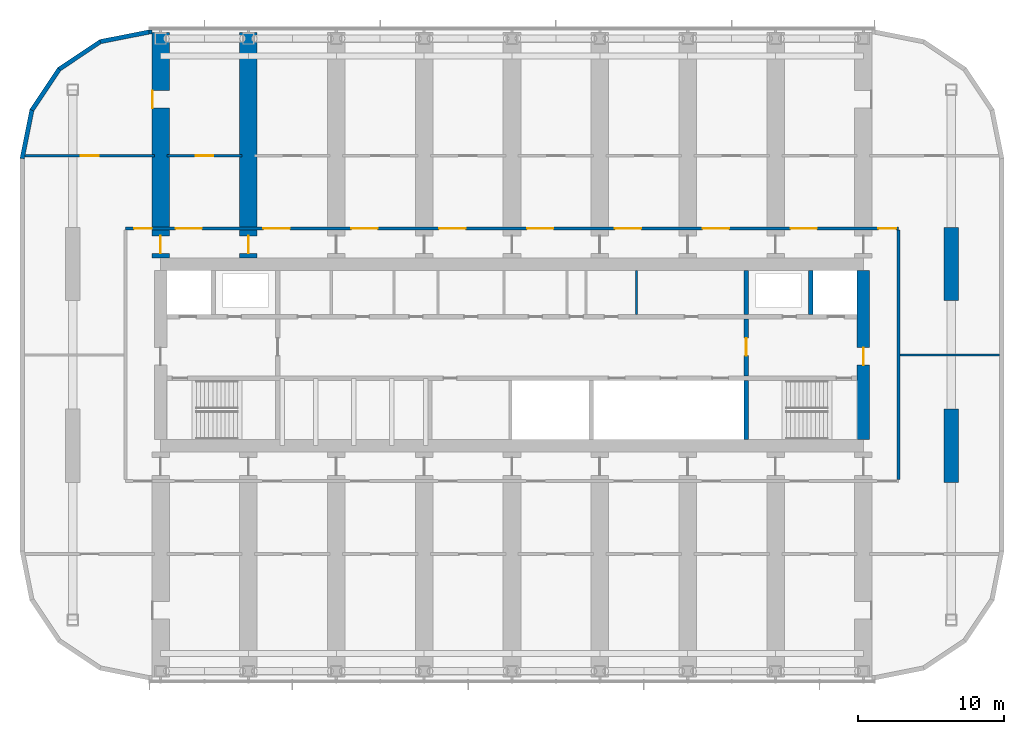
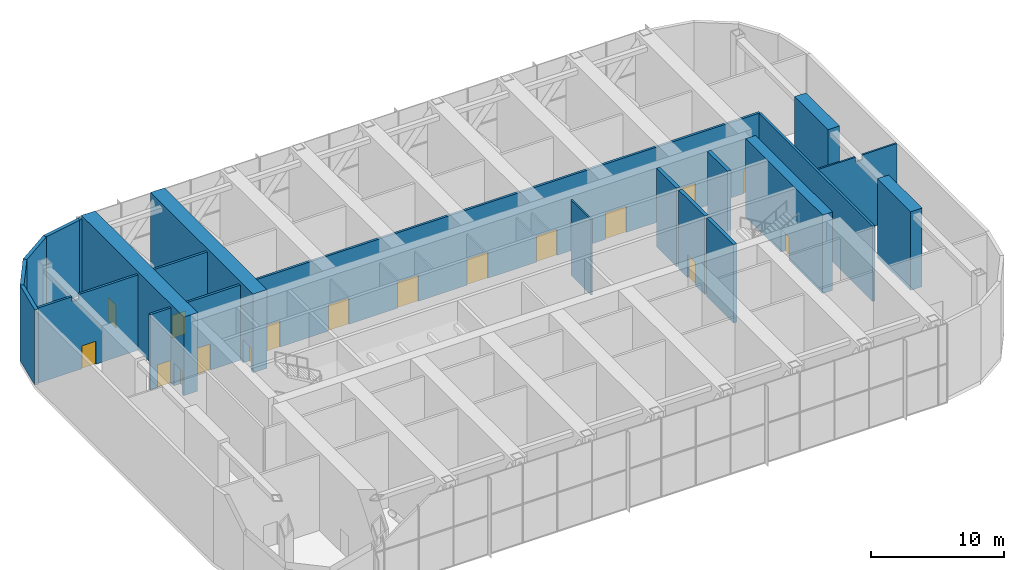
# One storey, part 11 of 22: 20 walls, 17 doors, 17 openings.
"""IFC4 building model written with IfcOpenShell, lengths in metres."""

from ifc_helpers import new_model, si_unit, direction, frame, frame_2d, origin, place, context, subcontext, project, spatial, polyline, rectangle, outline, extrude, clip, halfspace, material, layer, layer_set, type_object, element, fill, save


model = new_model("IFC4")

# Units and contexts
model_context = context("Model", 3, precision=1e-05, world=origin(), true_north=direction((0.0, 1.0)))
body_context = subcontext(model_context, "Body", "Model", "MODEL_VIEW")
ifc_project = project(units=[si_unit("LENGTHUNIT", "METRE"), si_unit("AREAUNIT", "SQUARE_METRE"), si_unit("VOLUMEUNIT", "CUBIC_METRE"), si_unit("PLANEANGLEUNIT", "RADIAN"), si_unit("MASSUNIT", "GRAM", prefix="KILO")], contexts=[model_context])

# Site, building, storey
site_placement = place(None, origin())
site = spatial("IfcSite", under=ifc_project, at=site_placement, CompositionType="ELEMENT")
building_placement = place(site_placement, origin())
building = spatial("IfcBuilding", under=site, at=building_placement, Name="Orbita Commons", CompositionType="ELEMENT")
storey_placement = place(building_placement, frame((0.0, 0.0, 201.10009765625)))
storey = spatial("IfcBuildingStorey", under=building, at=storey_placement, Name="L50", CompositionType="ELEMENT", Elevation=201.10009765625)

# Wall
ifc_material_1 = material(Name="Concrete C50/60", Category="concrete")
ifc_layer_1 = layer(ifc_material_1, 0.300048828125)
ifc_layer_set_1 = layer_set([ifc_layer_1], Name="Concrete C50/60")
wall_type_1 = type_object("IfcWallType", Name="Core inner wall 300 C50/60", PredefinedType="SHEAR", material=ifc_layer_set_1)
wall_1_placement = place(storey_placement, frame((58.0, 26.22509765625, 0.0), z_axis=(0.0, 0.0, 1.0), x_axis=(0.0, 1.0, 0.0)))
element("IfcWall", 1, at=wall_1_placement, inside=storey, type_object=wall_type_1, Name="Stair S2 wall L50", PredefinedType="SHEAR", context=body_context, shape_type="SweptSolid", body=[
    extrude(rectangle(XDim=4.02490234375, YDim=0.300048828125, at=frame_2d((2.012451171875, 0.0))), origin(), (0.0, 0.0, 1.0), 7.199951171875),
])

# Wall, opening, door
wall_2_placement = place(storey_placement, frame((58.0, 30.550048828125, 0.0), z_axis=(0.0, 0.0, 1.0), x_axis=(0.0, 1.0, 0.0)))
wall_2 = element("IfcWall", 2, at=wall_2_placement, inside=storey, type_object=wall_type_1, Name="Firefighting lobby wall east L50", PredefinedType="SHEAR", context=body_context, shape_type="SweptSolid", body=[
    extrude(rectangle(XDim=3.89990234375, YDim=0.300048828125, at=frame_2d((1.949951171875, 0.0))), origin(), (0.0, 0.0, 1.0), 7.199951171875),
])
opening_1_placement = place(wall_2_placement, frame((1.39990234375, 0.0, 0.0)))
opening_1 = element("IfcOpeningElement", 3, at=opening_1_placement, cuts=wall_2, Name="Opening D04", PredefinedType="OPENING", context=body_context, shape_type="SweptSolid", body=[
    extrude(rectangle(XDim=1.199951171875, YDim=2.10009765625, at=frame_2d((0.60009765625, 1.050048828125))), frame((0.0, 0.159912109375, 0.0), z_axis=(0.0, -1.0, 0.0), x_axis=(1.0, 0.0, 0.0)), (0.0, 0.0, 1.0), 0.320068359375),
])
ifc_material_2 = material(Name="Steel-faced fire door leaf", Category="steel")
door_type_1 = type_object("IfcDoorType", Name="Service door 20 min 1200x2100", OperationType="SINGLE_SWING_LEFT", PredefinedType="DOOR", material=ifc_material_2)
door_1_placement = place(opening_1_placement, origin())
door_1 = element("IfcDoor", 4, at=door_1_placement, inside=storey, type_object=door_type_1, Name="Lift lobby door east", OperationType="SINGLE_SWING_LEFT", OverallHeight=2.10009765625, OverallWidth=1.199951171875, PredefinedType="DOOR", context=body_context, shape_type="SweptSolid", body=[
    extrude(rectangle(XDim=1.199951171875, YDim=2.10009765625, at=frame_2d((0.60009765625, 1.050048828125))), frame((0.0, 0.02490234375, 0.0), z_axis=(0.0, -1.0, 0.0), x_axis=(1.0, 0.0, 0.0)), (0.0, 0.0, 1.0), 0.050048828125),
])
fill(opening_1, door_1)

# Walls
for number, where, z_axis, x_axis, name in (
    (5, (62.39990234375, 34.75, 0.0), (0.0, 0.0, 1.0), (0.0, 1.0, 0.0), "Firefighting lift FL2 shaft wall L50"),
    (6, (58.0, 34.75, 0.0), (0.0, 0.0, 1.0), (0.0, 1.0, 0.0), "Riser wall east L50"),
):
    element("IfcWall", number, at=place(storey_placement, frame(where, z_axis=z_axis, x_axis=x_axis)), inside=storey, type_object=wall_type_1, Name=name, PredefinedType="SHEAR", context=body_context, shape_type="SweptSolid", body=[
        extrude(rectangle(XDim=3.02490234375, YDim=0.300048828125, at=frame_2d((1.512451171875, 0.0))), origin(), (0.0, 0.0, 1.0), 7.199951171875),
    ])
ifc_material_3 = material(Name="Concrete blockwork", Category="masonry")
ifc_layer_2 = layer(ifc_material_3, 0.14990234375)
ifc_layer_set_2 = layer_set([ifc_layer_2], Name="Concrete blockwork")
wall_type_2 = type_object("IfcWallType", Name="Core partition 150 blockwork", PredefinedType="SOLIDWALL", material=ifc_layer_set_2)
wall_3_placement = place(storey_placement, frame((50.5029296875, 34.75, 0.0), z_axis=(0.0, 0.0, 1.0), x_axis=(0.0, 1.0, 0.0)))
element("IfcWall", 7, at=wall_3_placement, inside=storey, type_object=wall_type_2, Name="Core partition 150 blockwork L50", PredefinedType="SOLIDWALL", context=body_context, shape_type="SweptSolid", body=[
    extrude(rectangle(XDim=3.02490234375, YDim=0.14990234375, at=frame_2d((1.512451171875, 0.0))), origin(), (0.0, 0.0, 1.0), 6.89990234375),
])

# Wall, opening, door
ifc_material_4 = material(Name="Concrete C50/60", Category="concrete")
ifc_layer_3 = layer(ifc_material_4, 0.85009765625)
ifc_layer_set_3 = layer_set([ifc_layer_3], Name="Concrete C50/60")
wall_type_3 = type_object("IfcWallType", Name="Core wall 850 C50/60", PredefinedType="SHEAR", material=ifc_layer_set_3)
wall_4_placement = place(storey_placement, frame((66.0, 26.22509765625, 0.0), z_axis=(0.0, 0.0, 1.0), x_axis=(0.0, 1.0, 0.0)))
wall_4 = element("IfcWall", 8, at=wall_4_placement, inside=storey, type_object=wall_type_3, Name="Core end wall east L50", PredefinedType="SHEAR", context=body_context, shape_type="SweptSolid", body=[
    extrude(rectangle(XDim=11.5498046875, YDim=0.85009765625, at=frame_2d((5.77490234375, 0.0))), origin(), (0.0, 0.0, 1.0), 7.199951171875),
])
opening_2_placement = place(wall_4_placement, frame((5.074951171875, 0.0, 0.0)))
opening_2 = element("IfcOpeningElement", 9, at=opening_2_placement, cuts=wall_4, Name="Opening D01", PredefinedType="OPENING", context=body_context, shape_type="SweptSolid", body=[
    extrude(rectangle(XDim=1.199951171875, YDim=2.10009765625, at=frame_2d((0.60009765625, 1.050048828125))), frame((0.0, 0.43505859375, 0.0), z_axis=(0.0, -1.0, 0.0), x_axis=(1.0, 0.0, 0.0)), (0.0, 0.0, 1.0), 0.8701171875),
])
ifc_material_5 = material(Name="Steel-faced fire door leaf", Category="steel")
door_type_2 = type_object("IfcDoorType", Name="Fire door 90 min 1200x2100", OperationType="SINGLE_SWING_LEFT", PredefinedType="DOOR", material=ifc_material_5)
door_2_placement = place(opening_2_placement, origin())
door_2 = element("IfcDoor", 10, at=door_2_placement, inside=storey, type_object=door_type_2, Name="Firefighting lobby east door", OperationType="SINGLE_SWING_LEFT", OverallHeight=2.10009765625, OverallWidth=1.199951171875, PredefinedType="DOOR", context=body_context, shape_type="SweptSolid", body=[
    extrude(rectangle(XDim=1.199951171875, YDim=2.10009765625, at=frame_2d((0.60009765625, 1.050048828125))), frame((0.0, 0.02490234375, 0.0), z_axis=(0.0, -1.0, 0.0), x_axis=(1.0, 0.0, 0.0)), (0.0, 0.0, 1.0), 0.050048828125),
])
fill(opening_2, door_2)

# Wall, openings, doors
ifc_material_6 = material(Name="Concrete blockwork", Category="masonry")
ifc_layer_4 = layer(ifc_material_6, 0.199951171875)
ifc_layer_set_4 = layer_set([ifc_layer_4], Name="Concrete blockwork")
wall_type_4 = type_object("IfcWallType", Name="Corridor wall 200 blockwork", PredefinedType="SOLIDWALL", material=ifc_layer_set_4)
wall_5_placement = place(storey_placement, frame((15.60009765625, 40.625, 0.0), z_axis=(0.0, 0.0, 1.0), x_axis=(1.0, 0.0, 0.0)))
wall_5 = element("IfcWall", 11, at=wall_5_placement, inside=storey, type_object=wall_type_4, Name="Corridor wall 200 blockwork L50", PredefinedType="SOLIDWALL", context=body_context, shape_type="SweptSolid", body=[
    extrude(rectangle(XDim=52.7998046875, YDim=0.199951171875, at=frame_2d((26.39990234375, 0.0))), origin(), (0.0, 0.0, 1.0), 6.89990234375),
])
opening_3_placement = place(wall_5_placement, frame((0.60009765625, 0.0, 0.0)))
opening_3 = element("IfcOpeningElement", 12, at=opening_3_placement, cuts=wall_5, Name="Opening D01", PredefinedType="OPENING", context=body_context, shape_type="SweptSolid", body=[
    extrude(rectangle(XDim=1.199951171875, YDim=2.10009765625, at=frame_2d((0.60009765625, 1.050048828125))), frame((0.0, 0.10986328125, 0.0), z_axis=(0.0, -1.0, 0.0), x_axis=(1.0, 0.0, 0.0)), (0.0, 0.0, 1.0), 0.219970703125),
])
opening_4_placement = place(wall_5_placement, frame((3.425048828125, 0.0, 0.0)))
opening_4 = element("IfcOpeningElement", 13, at=opening_4_placement, cuts=wall_5, Name="Opening D14", PredefinedType="OPENING", context=body_context, shape_type="SweptSolid", body=[
    extrude(rectangle(XDim=1.800048828125, YDim=2.39990234375, at=frame_2d((0.89990234375, 1.199951171875))), frame((0.0, 0.10986328125, 0.0), z_axis=(0.0, -1.0, 0.0), x_axis=(1.0, 0.0, 0.0)), (0.0, 0.0, 1.0), 0.219970703125),
])
opening_5_placement = place(wall_5_placement, frame((9.425048828125, 0.0, 0.0)))
opening_5 = element("IfcOpeningElement", 14, at=opening_5_placement, cuts=wall_5, Name="Opening D14", PredefinedType="OPENING", context=body_context, shape_type="SweptSolid", body=[
    extrude(rectangle(XDim=1.800048828125, YDim=2.39990234375, at=frame_2d((0.89990234375, 1.199951171875))), frame((0.0, 0.10986328125, 0.0), z_axis=(0.0, -1.0, 0.0), x_axis=(1.0, 0.0, 0.0)), (0.0, 0.0, 1.0), 0.219970703125),
])
opening_6_placement = place(wall_5_placement, frame((15.425048828125, 0.0, 0.0)))
opening_6 = element("IfcOpeningElement", 15, at=opening_6_placement, cuts=wall_5, Name="Opening D14", PredefinedType="OPENING", context=body_context, shape_type="SweptSolid", body=[
    extrude(rectangle(XDim=1.800048828125, YDim=2.39990234375, at=frame_2d((0.89990234375, 1.199951171875))), frame((0.0, 0.10986328125, 0.0), z_axis=(0.0, -1.0, 0.0), x_axis=(1.0, 0.0, 0.0)), (0.0, 0.0, 1.0), 0.219970703125),
])
opening_7_placement = place(wall_5_placement, frame((21.425048828125, 0.0, 0.0)))
opening_7 = element("IfcOpeningElement", 16, at=opening_7_placement, cuts=wall_5, Name="Opening D14", PredefinedType="OPENING", context=body_context, shape_type="SweptSolid", body=[
    extrude(rectangle(XDim=1.800048828125, YDim=2.39990234375, at=frame_2d((0.89990234375, 1.199951171875))), frame((0.0, 0.10986328125, 0.0), z_axis=(0.0, -1.0, 0.0), x_axis=(1.0, 0.0, 0.0)), (0.0, 0.0, 1.0), 0.219970703125),
])
opening_8_placement = place(wall_5_placement, frame((27.425048828125, 0.0, 0.0)))
opening_8 = element("IfcOpeningElement", 17, at=opening_8_placement, cuts=wall_5, Name="Opening D14", PredefinedType="OPENING", context=body_context, shape_type="SweptSolid", body=[
    extrude(rectangle(XDim=1.800048828125, YDim=2.39990234375, at=frame_2d((0.89990234375, 1.199951171875))), frame((0.0, 0.10986328125, 0.0), z_axis=(0.0, -1.0, 0.0), x_axis=(1.0, 0.0, 0.0)), (0.0, 0.0, 1.0), 0.219970703125),
])
opening_9_placement = place(wall_5_placement, frame((33.425048828125, 0.0, 0.0)))
opening_9 = element("IfcOpeningElement", 18, at=opening_9_placement, cuts=wall_5, Name="Opening D14", PredefinedType="OPENING", context=body_context, shape_type="SweptSolid", body=[
    extrude(rectangle(XDim=1.800048828125, YDim=2.39990234375, at=frame_2d((0.89990234375, 1.199951171875))), frame((0.0, 0.10986328125, 0.0), z_axis=(0.0, -1.0, 0.0), x_axis=(1.0, 0.0, 0.0)), (0.0, 0.0, 1.0), 0.219970703125),
])
opening_10_placement = place(wall_5_placement, frame((39.425048828125, 0.0, 0.0)))
opening_10 = element("IfcOpeningElement", 19, at=opening_10_placement, cuts=wall_5, Name="Opening D14", PredefinedType="OPENING", context=body_context, shape_type="SweptSolid", body=[
    extrude(rectangle(XDim=1.800048828125, YDim=2.39990234375, at=frame_2d((0.89990234375, 1.199951171875))), frame((0.0, 0.10986328125, 0.0), z_axis=(0.0, -1.0, 0.0), x_axis=(1.0, 0.0, 0.0)), (0.0, 0.0, 1.0), 0.219970703125),
])
opening_11_placement = place(wall_5_placement, frame((45.425048828125, 0.0, 0.0)))
opening_11 = element("IfcOpeningElement", 20, at=opening_11_placement, cuts=wall_5, Name="Opening D14", PredefinedType="OPENING", context=body_context, shape_type="SweptSolid", body=[
    extrude(rectangle(XDim=1.800048828125, YDim=2.39990234375, at=frame_2d((0.89990234375, 1.199951171875))), frame((0.0, 0.10986328125, 0.0), z_axis=(0.0, -1.0, 0.0), x_axis=(1.0, 0.0, 0.0)), (0.0, 0.0, 1.0), 0.219970703125),
])
opening_12_placement = place(wall_5_placement, frame((51.425048828125, 0.0, 0.0)))
opening_12 = element("IfcOpeningElement", 21, at=opening_12_placement, cuts=wall_5, Name="Opening D01", PredefinedType="OPENING", context=body_context, shape_type="SweptSolid", body=[
    extrude(rectangle(XDim=1.199951171875, YDim=2.10009765625, at=frame_2d((0.60009765625, 1.050048828125))), frame((0.0, 0.10986328125, 0.0), z_axis=(0.0, -1.0, 0.0), x_axis=(1.0, 0.0, 0.0)), (0.0, 0.0, 1.0), 0.219970703125),
])
ifc_material_7 = material(Name="Steel-faced fire door leaf", Category="steel")
door_type_3 = type_object("IfcDoorType", Name="Double fire door 90 min 1800x2400", OperationType="DOUBLE_DOOR_SINGLE_SWING", PredefinedType="DOOR", material=ifc_material_7)
door_3_placement = place(opening_4_placement, origin())
door_3 = element("IfcDoor", 22, at=door_3_placement, inside=storey, type_object=door_type_3, Name="Water tank room L50-PN1 door", OperationType="DOUBLE_DOOR_SINGLE_SWING", OverallHeight=2.39990234375, OverallWidth=1.800048828125, PredefinedType="DOOR", context=body_context, shape_type="SweptSolid", body=[
    extrude(rectangle(XDim=1.800048828125, YDim=2.39990234375, at=frame_2d((0.89990234375, 1.199951171875))), frame((0.0, 0.02490234375, 0.0), z_axis=(0.0, -1.0, 0.0), x_axis=(1.0, 0.0, 0.0)), (0.0, 0.0, 1.0), 0.050048828125),
])
fill(opening_4, door_3)
door_4_placement = place(opening_5_placement, origin())
door_4 = element("IfcDoor", 23, at=door_4_placement, inside=storey, type_object=door_type_3, Name="Mechanical plant room L50-PN2 door", OperationType="DOUBLE_DOOR_SINGLE_SWING", OverallHeight=2.39990234375, OverallWidth=1.800048828125, PredefinedType="DOOR", context=body_context, shape_type="SweptSolid", body=[
    extrude(rectangle(XDim=1.800048828125, YDim=2.39990234375, at=frame_2d((0.89990234375, 1.199951171875))), frame((0.0, 0.02490234375, 0.0), z_axis=(0.0, -1.0, 0.0), x_axis=(1.0, 0.0, 0.0)), (0.0, 0.0, 1.0), 0.050048828125),
])
fill(opening_5, door_4)
door_5_placement = place(opening_6_placement, origin())
door_5 = element("IfcDoor", 24, at=door_5_placement, inside=storey, type_object=door_type_3, Name="Mechanical plant room L50-PN3 door", OperationType="DOUBLE_DOOR_SINGLE_SWING", OverallHeight=2.39990234375, OverallWidth=1.800048828125, PredefinedType="DOOR", context=body_context, shape_type="SweptSolid", body=[
    extrude(rectangle(XDim=1.800048828125, YDim=2.39990234375, at=frame_2d((0.89990234375, 1.199951171875))), frame((0.0, 0.02490234375, 0.0), z_axis=(0.0, -1.0, 0.0), x_axis=(1.0, 0.0, 0.0)), (0.0, 0.0, 1.0), 0.050048828125),
])
fill(opening_6, door_5)
door_6_placement = place(opening_7_placement, origin())
door_6 = element("IfcDoor", 25, at=door_6_placement, inside=storey, type_object=door_type_3, Name="Water tank room L50-PN4 door", OperationType="DOUBLE_DOOR_SINGLE_SWING", OverallHeight=2.39990234375, OverallWidth=1.800048828125, PredefinedType="DOOR", context=body_context, shape_type="SweptSolid", body=[
    extrude(rectangle(XDim=1.800048828125, YDim=2.39990234375, at=frame_2d((0.89990234375, 1.199951171875))), frame((0.0, 0.02490234375, 0.0), z_axis=(0.0, -1.0, 0.0), x_axis=(1.0, 0.0, 0.0)), (0.0, 0.0, 1.0), 0.050048828125),
])
fill(opening_7, door_6)
door_7_placement = place(opening_8_placement, origin())
door_7 = element("IfcDoor", 26, at=door_7_placement, inside=storey, type_object=door_type_3, Name="Mechanical plant room L50-PN5 door", OperationType="DOUBLE_DOOR_SINGLE_SWING", OverallHeight=2.39990234375, OverallWidth=1.800048828125, PredefinedType="DOOR", context=body_context, shape_type="SweptSolid", body=[
    extrude(rectangle(XDim=1.800048828125, YDim=2.39990234375, at=frame_2d((0.89990234375, 1.199951171875))), frame((0.0, 0.02490234375, 0.0), z_axis=(0.0, -1.0, 0.0), x_axis=(1.0, 0.0, 0.0)), (0.0, 0.0, 1.0), 0.050048828125),
])
fill(opening_8, door_7)
door_8_placement = place(opening_9_placement, origin())
door_8 = element("IfcDoor", 27, at=door_8_placement, inside=storey, type_object=door_type_3, Name="Mechanical plant room L50-PN6 door", OperationType="DOUBLE_DOOR_SINGLE_SWING", OverallHeight=2.39990234375, OverallWidth=1.800048828125, PredefinedType="DOOR", context=body_context, shape_type="SweptSolid", body=[
    extrude(rectangle(XDim=1.800048828125, YDim=2.39990234375, at=frame_2d((0.89990234375, 1.199951171875))), frame((0.0, 0.02490234375, 0.0), z_axis=(0.0, -1.0, 0.0), x_axis=(1.0, 0.0, 0.0)), (0.0, 0.0, 1.0), 0.050048828125),
])
fill(opening_9, door_8)
door_9_placement = place(opening_10_placement, origin())
door_9 = element("IfcDoor", 28, at=door_9_placement, inside=storey, type_object=door_type_3, Name="Water tank room L50-PN7 door", OperationType="DOUBLE_DOOR_SINGLE_SWING", OverallHeight=2.39990234375, OverallWidth=1.800048828125, PredefinedType="DOOR", context=body_context, shape_type="SweptSolid", body=[
    extrude(rectangle(XDim=1.800048828125, YDim=2.39990234375, at=frame_2d((0.89990234375, 1.199951171875))), frame((0.0, 0.02490234375, 0.0), z_axis=(0.0, -1.0, 0.0), x_axis=(1.0, 0.0, 0.0)), (0.0, 0.0, 1.0), 0.050048828125),
])
fill(opening_10, door_9)
door_10_placement = place(opening_11_placement, origin())
door_10 = element("IfcDoor", 29, at=door_10_placement, inside=storey, type_object=door_type_3, Name="Mechanical plant room L50-PN8 door", OperationType="DOUBLE_DOOR_SINGLE_SWING", OverallHeight=2.39990234375, OverallWidth=1.800048828125, PredefinedType="DOOR", context=body_context, shape_type="SweptSolid", body=[
    extrude(rectangle(XDim=1.800048828125, YDim=2.39990234375, at=frame_2d((0.89990234375, 1.199951171875))), frame((0.0, 0.02490234375, 0.0), z_axis=(0.0, -1.0, 0.0), x_axis=(1.0, 0.0, 0.0)), (0.0, 0.0, 1.0), 0.050048828125),
])
fill(opening_11, door_10)
door_11_placement = place(opening_3_placement, origin())
door_11 = element("IfcDoor", 30, at=door_11_placement, inside=storey, type_object=door_type_2, Name="Mechanical plant room L50-PN0 door", OperationType="SINGLE_SWING_LEFT", OverallHeight=2.10009765625, OverallWidth=1.199951171875, PredefinedType="DOOR", context=body_context, shape_type="SweptSolid", body=[
    extrude(rectangle(XDim=1.199951171875, YDim=2.10009765625, at=frame_2d((0.60009765625, 1.050048828125))), frame((0.0, 0.02490234375, 0.0), z_axis=(0.0, -1.0, 0.0), x_axis=(1.0, 0.0, 0.0)), (0.0, 0.0, 1.0), 0.050048828125),
])
fill(opening_3, door_11)
door_12_placement = place(opening_12_placement, origin())
door_12 = element("IfcDoor", 31, at=door_12_placement, inside=storey, type_object=door_type_2, Name="Mechanical plant room L50-PN9 door", OperationType="SINGLE_SWING_LEFT", OverallHeight=2.10009765625, OverallWidth=1.199951171875, PredefinedType="DOOR", context=body_context, shape_type="SweptSolid", body=[
    extrude(rectangle(XDim=1.199951171875, YDim=2.10009765625, at=frame_2d((0.60009765625, 1.050048828125))), frame((0.0, 0.02490234375, 0.0), z_axis=(0.0, -1.0, 0.0), x_axis=(1.0, 0.0, 0.0)), (0.0, 0.0, 1.0), 0.050048828125),
])
fill(opening_12, door_12)

# Wall
wall_6_placement = place(storey_placement, frame((68.39990234375, 23.47509765625, 0.0), z_axis=(0.0, 0.0, 1.0), x_axis=(0.0, 1.0, 0.0)))
element("IfcWall", 32, at=wall_6_placement, inside=storey, type_object=wall_type_4, Name="Corridor wall 200 blockwork L50", PredefinedType="SOLIDWALL", context=body_context, shape_type="SweptSolid", body=[
    extrude(rectangle(XDim=17.0498046875, YDim=0.199951171875, at=frame_2d((8.52490234375, 0.0))), origin(), (0.0, 0.0, 1.0), 6.89990234375),
])

# Wall, opening, door
ifc_material_8 = material(Name="Hollow concrete block 200", Category="concrete")
ifc_layer_5 = layer(ifc_material_8, 0.199951171875)
ifc_layer_set_5 = layer_set([ifc_layer_5], Name="Hollow concrete block 200")
wall_type_5 = type_object("IfcWallType", Name="Corridor wall 200 hollow concrete block", PredefinedType="SOLIDWALL", material=ifc_layer_set_5)
wall_7_placement = place(storey_placement, frame((8.747802734375, 45.60009765625, 0.0), z_axis=(0.0, 0.0, 1.0), x_axis=(1.0, 0.0, 0.0)))
wall_7 = element("IfcWall", 33, at=wall_7_placement, inside=storey, type_object=wall_type_5, Name="Corridor wall 200 hollow concrete block L50", PredefinedType="SOLIDWALL", context=body_context, shape_type="Clipping", body=[
    clip(clip(extrude(outline(polyline([(-0.02978515625, 0.0), (8.85693359375, 0.0), (8.85693359375, 6.89990234375), (3.55419921875, 6.89990234375), (3.55224609375, 6.449951171875), (2.9541015625, 6.449951171875), (2.9521484375, 6.89990234375), (-0.02978515625, 6.89990234375), (-0.02978515625, 0.0)])), frame((0.0, 0.10009765625, 0.0), z_axis=(0.0, -1.0, 0.0), x_axis=(1.0, 0.0, 0.0)), (0.0, 0.0, 1.0), 0.199951171875), halfspace(frame((0.0, 0.0, 0.0), z_axis=(-0.980787601265, 0.195078653892, 0.0)), False)), halfspace(frame((8.8271484375, 0.0, 0.0), z_axis=(1.0, 0.0, 0.0)), False)),
])
opening_13_placement = place(wall_7_placement, frame((3.815185546875, 0.0, 0.0)))
opening_13 = element("IfcOpeningElement", 34, at=opening_13_placement, cuts=wall_7, Name="Opening D01", PredefinedType="OPENING", context=body_context, shape_type="SweptSolid", body=[
    extrude(rectangle(XDim=1.199951171875, YDim=2.10009765625, at=frame_2d((0.60009765625, 1.050048828125))), frame((0.0, 0.10986328125, 0.0), z_axis=(0.0, -1.0, 0.0), x_axis=(1.0, 0.0, 0.0)), (0.0, 0.0, 1.0), 0.219970703125),
])
door_13_placement = place(opening_13_placement, origin())
door_13 = element("IfcDoor", 35, at=door_13_placement, inside=storey, type_object=door_type_2, Name="Plant room door L50", OperationType="SINGLE_SWING_LEFT", OverallHeight=2.10009765625, OverallWidth=1.199951171875, PredefinedType="DOOR", context=body_context, shape_type="SweptSolid", body=[
    extrude(rectangle(XDim=1.199951171875, YDim=2.10009765625, at=frame_2d((0.60009765625, 1.050048828125))), frame((0.0, 0.02490234375, 0.0), z_axis=(0.0, -1.0, 0.0), x_axis=(1.0, 0.0, 0.0)), (0.0, 0.0, 1.0), 0.050048828125),
])
fill(opening_13, door_13)

wall_8_placement = place(storey_placement, frame((18.425048828125, 45.60009765625, 0.0), z_axis=(0.0, 0.0, 1.0), x_axis=(1.0, 0.0, 0.0)))
wall_8 = element("IfcWall", 36, at=wall_8_placement, inside=storey, type_object=wall_type_5, Name="Corridor wall 200 hollow concrete block L50", PredefinedType="SOLIDWALL", context=body_context, shape_type="SweptSolid", body=[
    extrude(rectangle(XDim=5.14990234375, YDim=0.199951171875, at=frame_2d((2.574951171875, 0.0))), origin(), (0.0, 0.0, 1.0), 6.89990234375),
])
opening_14_placement = place(wall_8_placement, frame((1.97509765625, 0.0, 0.0)))
opening_14 = element("IfcOpeningElement", 37, at=opening_14_placement, cuts=wall_8, Name="Opening D01", PredefinedType="OPENING", context=body_context, shape_type="SweptSolid", body=[
    extrude(rectangle(XDim=1.199951171875, YDim=2.10009765625, at=frame_2d((0.60009765625, 1.050048828125))), frame((0.0, 0.10986328125, 0.0), z_axis=(0.0, -1.0, 0.0), x_axis=(1.0, 0.0, 0.0)), (0.0, 0.0, 1.0), 0.219970703125),
])
door_14_placement = place(opening_14_placement, origin())
door_14 = element("IfcDoor", 38, at=door_14_placement, inside=storey, type_object=door_type_2, Name="Plant room door L50", OperationType="SINGLE_SWING_LEFT", OverallHeight=2.10009765625, OverallWidth=1.199951171875, PredefinedType="DOOR", context=body_context, shape_type="SweptSolid", body=[
    extrude(rectangle(XDim=1.199951171875, YDim=2.10009765625, at=frame_2d((0.60009765625, 1.050048828125))), frame((0.0, 0.02490234375, 0.0), z_axis=(0.0, -1.0, 0.0), x_axis=(1.0, 0.0, 0.0)), (0.0, 0.0, 1.0), 0.050048828125),
])
fill(opening_14, door_14)

# Walls
ifc_material_9 = material(Name="Concrete C50/60", Category="concrete")
ifc_layer_6 = layer(ifc_material_9, 1.0)
ifc_layer_set_6 = layer_set([ifc_layer_6], Name="Concrete C50/60")
wall_type_6 = type_object("IfcWallType", Name="End pier 1000x5000 C50/60", PredefinedType="SHEAR", material=ifc_layer_set_6)
for number, where, z_axis, x_axis, name in (
    (39, (72.0, 23.300048828125, 0.0), (0.0, 0.0, 1.0), (0.0, 1.0, 0.0), "End pier 13/C L50"),
    (40, (72.0, 35.699951171875, 0.0), (0.0, 0.0, 1.0), (0.0, 1.0, 0.0), "End pier 13/D L50"),
):
    element("IfcWall", number, at=place(storey_placement, frame(where, z_axis=z_axis, x_axis=x_axis)), inside=storey, type_object=wall_type_6, Name=name, PredefinedType="SHEAR", context=body_context, shape_type="SweptSolid", body=[
        extrude(rectangle(XDim=5.0, YDim=1.0, at=frame_2d((2.5, 0.0))), origin(), (0.0, 0.0, 1.0), 7.199951171875),
    ])

# Wall, openings, doors
ifc_material_10 = material(Name="Concrete C50/60", Category="concrete")
ifc_layer_7 = layer(ifc_material_10, 1.199951171875)
ifc_layer_set_7 = layer_set([ifc_layer_7], Name="Concrete C50/60")
wall_type_7 = type_object("IfcWallType", Name="Outrigger wall 1200 C50/60", PredefinedType="SHEAR", material=ifc_layer_set_7)
wall_9_placement = place(storey_placement, frame((18.0, 38.625, 0.0), z_axis=(0.0, 0.0, 1.0), x_axis=(0.0, 1.0, 0.0)))
wall_9 = element("IfcWall", 41, at=wall_9_placement, inside=storey, type_object=wall_type_7, Name="Outrigger wall 4 north L50", PredefinedType="SHEAR", context=body_context, shape_type="SweptSolid", body=[
    extrude(rectangle(XDim=15.375, YDim=1.199951171875, at=frame_2d((7.6875, 0.0))), origin(), (0.0, 0.0, 1.0), 7.199951171875),
])
opening_15_placement = place(wall_9_placement, frame((0.300048828125, 0.0, 0.0)))
opening_15 = element("IfcOpeningElement", 42, at=opening_15_placement, cuts=wall_9, Name="Opening D01", PredefinedType="OPENING", context=body_context, shape_type="SweptSolid", body=[
    extrude(rectangle(XDim=1.199951171875, YDim=2.10009765625, at=frame_2d((0.60009765625, 1.050048828125))), frame((0.0, 0.60986328125, 0.0), z_axis=(0.0, -1.0, 0.0), x_axis=(1.0, 0.0, 0.0)), (0.0, 0.0, 1.0), 1.219970703125),
])
opening_16_placement = place(wall_9_placement, frame((10.22509765625, 0.0, 0.0)))
opening_16 = element("IfcOpeningElement", 43, at=opening_16_placement, cuts=wall_9, Name="Opening D01", PredefinedType="OPENING", context=body_context, shape_type="SweptSolid", body=[
    extrude(rectangle(XDim=1.199951171875, YDim=2.10009765625, at=frame_2d((0.60009765625, 1.050048828125))), frame((0.0, 0.60986328125, 0.0), z_axis=(0.0, -1.0, 0.0), x_axis=(1.0, 0.0, 0.0)), (0.0, 0.0, 1.0), 1.219970703125),
])
door_15_placement = place(opening_15_placement, origin())
door_15 = element("IfcDoor", 44, at=door_15_placement, inside=storey, type_object=door_type_2, Name="Corridor door through cross wall N L50", OperationType="SINGLE_SWING_LEFT", OverallHeight=2.10009765625, OverallWidth=1.199951171875, PredefinedType="DOOR", context=body_context, shape_type="SweptSolid", body=[
    extrude(rectangle(XDim=1.199951171875, YDim=2.10009765625, at=frame_2d((0.60009765625, 1.050048828125))), frame((0.0, 0.02490234375, 0.0), z_axis=(0.0, -1.0, 0.0), x_axis=(1.0, 0.0, 0.0)), (0.0, 0.0, 1.0), 0.050048828125),
])
fill(opening_15, door_15)
door_16_placement = place(opening_16_placement, origin())
door_16 = element("IfcDoor", 45, at=door_16_placement, inside=storey, type_object=door_type_2, Name="Plant room connecting door L50", OperationType="SINGLE_SWING_LEFT", OverallHeight=2.10009765625, OverallWidth=1.199951171875, PredefinedType="DOOR", context=body_context, shape_type="SweptSolid", body=[
    extrude(rectangle(XDim=1.199951171875, YDim=2.10009765625, at=frame_2d((0.60009765625, 1.050048828125))), frame((0.0, 0.5849609375, 0.0), z_axis=(0.0, -1.0, 0.0), x_axis=(1.0, 0.0, 0.0)), (0.0, 0.0, 1.0), 0.050048828125),
])
fill(opening_16, door_16)

# Wall, opening, door
wall_10_placement = place(storey_placement, frame((24.0, 38.625, 0.0), z_axis=(0.0, 0.0, 1.0), x_axis=(0.0, 1.0, 0.0)))
wall_10 = element("IfcWall", 46, at=wall_10_placement, inside=storey, type_object=wall_type_7, Name="Outrigger wall 5 north L50", PredefinedType="SHEAR", context=body_context, shape_type="SweptSolid", body=[
    extrude(rectangle(XDim=15.375, YDim=1.199951171875, at=frame_2d((7.6875, 0.0))), origin(), (0.0, 0.0, 1.0), 7.199951171875),
])
opening_17_placement = place(wall_10_placement, frame((0.300048828125, 0.0, 0.0)))
opening_17 = element("IfcOpeningElement", 47, at=opening_17_placement, cuts=wall_10, Name="Opening D01", PredefinedType="OPENING", context=body_context, shape_type="SweptSolid", body=[
    extrude(rectangle(XDim=1.199951171875, YDim=2.10009765625, at=frame_2d((0.60009765625, 1.050048828125))), frame((0.0, 0.60986328125, 0.0), z_axis=(0.0, -1.0, 0.0), x_axis=(1.0, 0.0, 0.0)), (0.0, 0.0, 1.0), 1.219970703125),
])
door_17_placement = place(opening_17_placement, origin())
door_17 = element("IfcDoor", 48, at=door_17_placement, inside=storey, type_object=door_type_2, Name="Corridor door through cross wall N L50", OperationType="SINGLE_SWING_LEFT", OverallHeight=2.10009765625, OverallWidth=1.199951171875, PredefinedType="DOOR", context=body_context, shape_type="SweptSolid", body=[
    extrude(rectangle(XDim=1.199951171875, YDim=2.10009765625, at=frame_2d((0.60009765625, 1.050048828125))), frame((0.0, 0.02490234375, 0.0), z_axis=(0.0, -1.0, 0.0), x_axis=(1.0, 0.0, 0.0)), (0.0, 0.0, 1.0), 0.050048828125),
])
fill(opening_17, door_17)

# Walls
ifc_material_11 = material(Name="Gypsum plasterboard on steel studs", Category="steel")
ifc_layer_8 = layer(ifc_material_11, 0.14990234375)
ifc_layer_set_8 = layer_set([ifc_layer_8], Name="Gypsum plasterboard on steel studs")
wall_type_8 = type_object("IfcWallType", Name="Partition 150 plasterboard", PredefinedType="PARTITIONING", material=ifc_layer_set_8)
wall_11_placement = place(storey_placement, frame((68.5, 32.0, 0.0), z_axis=(0.0, 0.0, 1.0), x_axis=(1.0, 0.0, 0.0)))
element("IfcWall", 49, at=wall_11_placement, inside=storey, type_object=wall_type_8, Name="Partition 150 plasterboard L50", PredefinedType="PARTITIONING", context=body_context, shape_type="SweptSolid", body=[
    extrude(outline(polyline([(0.0, 0.0), (6.794921875, 0.0), (6.794921875, 6.89990234375), (3.802001953125, 6.89990234375), (3.800048828125, 6.449951171875), (3.201904296875, 6.449951171875), (3.199951171875, 6.89990234375), (0.0, 6.89990234375), (0.0, 0.0)])), frame((0.0, 0.074951171875, 0.0), z_axis=(0.0, -1.0, 0.0), x_axis=(1.0, 0.0, 0.0)), (0.0, 0.0, 1.0), 0.14990234375),
])
ifc_material_12 = material(Name="Precast concrete C40/50, white board-marked finish", Category="concrete")
ifc_layer_9 = layer(ifc_material_12, 0.300048828125)
ifc_layer_set_9 = layer_set([ifc_layer_9], Name="Precast concrete C40/50, white board-marked finish")
wall_type_9 = type_object("IfcWallType", Name="Precast concrete end shield 300", PredefinedType="SOLIDWALL", material=ifc_layer_set_9)
wall_12_placement = place(storey_placement, frame((17.199951171875, 54.050048828125, 0.0), z_axis=(0.0, 0.0, 1.0), x_axis=(-0.98078325777, -0.195100490205, 0.0)))
element("IfcWall", 50, at=wall_12_placement, inside=storey, type_object=wall_type_9, Name="End shield NW chord 1 L50", PredefinedType="SOLIDWALL", context=body_context, shape_type="SweptSolid", body=[
    extrude(outline(polyline([(-0.02978515625, -0.14990234375), (3.40478515625, -0.14990234375), (3.34521484375, 0.14990234375), (0.02978515625, 0.14990234375), (-0.02978515625, -0.14990234375)])), origin(), (0.0, 0.0, 1.0), 6.89990234375),
])
for number, where, z_axis, x_axis, name in (
    (51, (13.889892578125, 53.3916015625, 0.0), (0.0, 0.0, 1.0), (-0.831493450887, -0.555534554399, 0.0), "End shield NW chord 2 L50"),
    (52, (11.08349609375, 51.5166015625, 0.0), (0.0, 0.0, 1.0), (-0.555534554399, -0.831493450887, 0.0), "End shield NW chord 3 L50"),
):
    element("IfcWall", number, at=place(storey_placement, frame(where, z_axis=z_axis, x_axis=x_axis)), inside=storey, type_object=wall_type_9, Name=name, PredefinedType="SOLIDWALL", context=body_context, shape_type="SweptSolid", body=[
        extrude(outline(polyline([(-0.02978515625, -0.14990234375), (3.405029296875, -0.14990234375), (3.345458984375, 0.14990234375), (0.02978515625, 0.14990234375), (-0.02978515625, -0.14990234375)])), origin(), (0.0, 0.0, 1.0), 6.89990234375),
    ])
wall_13_placement = place(storey_placement, frame((9.20849609375, 48.710205078125, 0.0), z_axis=(0.0, 0.0, 1.0), x_axis=(-0.19508664885, -0.980786011034, 0.0)))
element("IfcWall", 53, at=wall_13_placement, inside=storey, type_object=wall_type_9, Name="End shield NW chord 4 L50", PredefinedType="SOLIDWALL", context=body_context, shape_type="SweptSolid", body=[
    extrude(outline(polyline([(-0.02978515625, -0.14990234375), (3.39013671875, -0.14990234375), (3.3603515625, 0.14990234375), (0.02978515625, 0.14990234375), (-0.02978515625, -0.14990234375)])), origin(), (0.0, 0.0, 1.0), 6.89990234375),
])
wall_14_placement = place(storey_placement, frame((17.199951171875, 54.050048828125, 0.0), z_axis=(0.0, 0.0, 1.0), x_axis=(1.0, 0.0, 0.0)))
element("IfcWall", 54, at=wall_14_placement, inside=storey, type_object=wall_type_9, Name="End shield NW closer L50", PredefinedType="SOLIDWALL", context=body_context, shape_type="SweptSolid", body=[
    extrude(rectangle(XDim=0.199951171875, YDim=0.300048828125, at=frame_2d((0.10009765625, 0.0))), origin(), (0.0, 0.0, 1.0), 6.89990234375),
])

save(model, "model.ifc")
